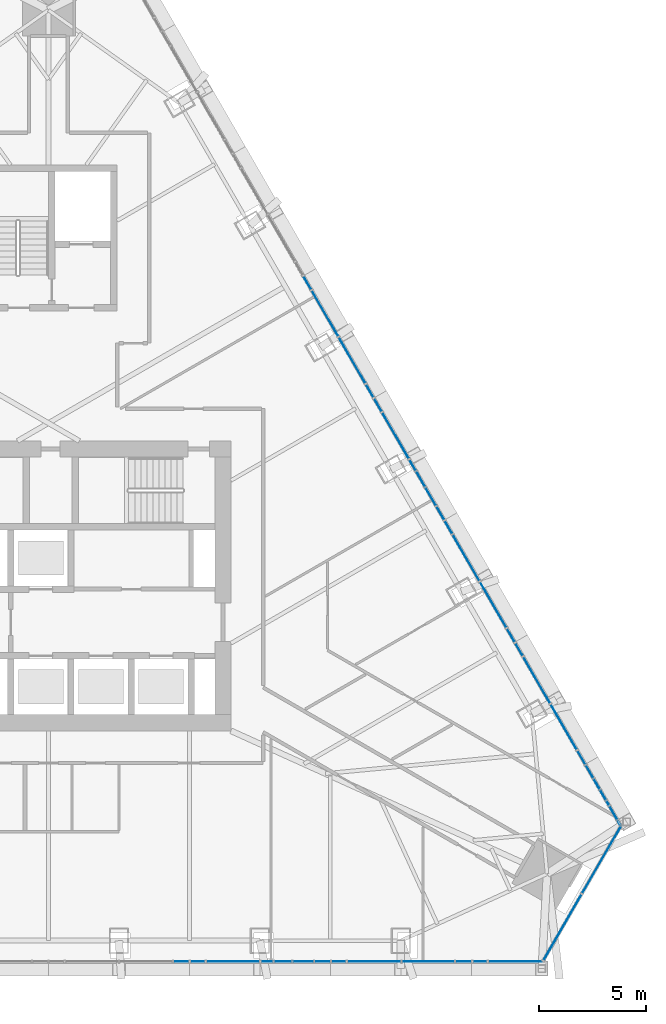
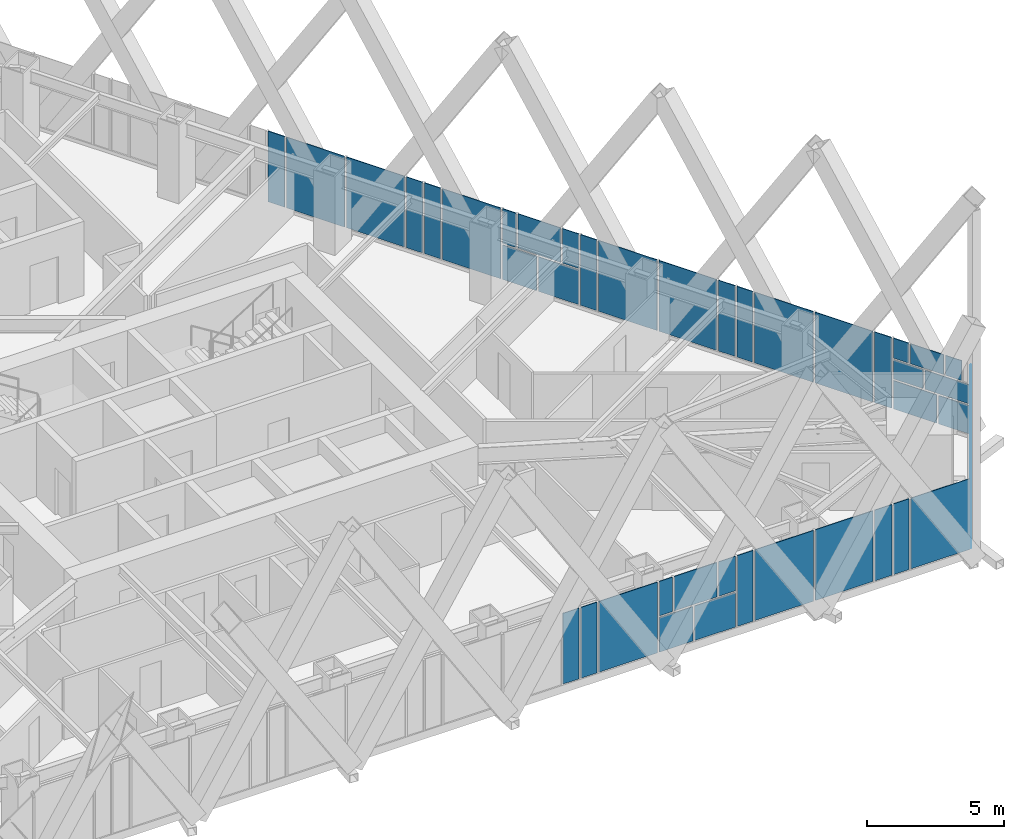
# One storey, part 16 of 25: 42 plates, 3 elements without a shape of their own.
"""IFC4 building model written with IfcOpenShell, lengths in metres."""

from ifc_helpers import new_model, si_unit, direction, frame, origin, place, context, subcontext, project, spatial, polyline, outline, extrude, material, layer, layer_set, type_object, element, aggregate, save


model = new_model("IFC4")

# Units and contexts
model_context = context("Model", 3, precision=1e-05, world=origin(), true_north=direction((0.0, 1.0)))
body_context = subcontext(model_context, "Body", "Model", "MODEL_VIEW")
ifc_project = project(units=[si_unit("LENGTHUNIT", "METRE"), si_unit("AREAUNIT", "SQUARE_METRE"), si_unit("VOLUMEUNIT", "CUBIC_METRE"), si_unit("PLANEANGLEUNIT", "RADIAN"), si_unit("MASSUNIT", "GRAM", prefix="KILO")], contexts=[model_context])

# Site, building, storey
site_placement = place(None, origin())
site = spatial("IfcSite", under=ifc_project, at=site_placement, CompositionType="ELEMENT")
building_placement = place(site_placement, origin())
building = spatial("IfcBuilding", under=site, at=building_placement, Name="Firuza Gate Tower and Library", CompositionType="ELEMENT")
storey_placement = place(building_placement, frame((0.0, 0.0, 270.60009765625)))
storey = spatial("IfcBuildingStorey", under=building, at=storey_placement, Name="L64", CompositionType="ELEMENT", Elevation=270.60009765625)

# Curtain wall, plates
ifc_material_1 = material(Name="Aluminium 6063-T6", Category="aluminium")
ifc_layer_1 = layer(ifc_material_1, 0.14990234375)
ifc_layer_set_1 = layer_set([ifc_layer_1], Name="Corner curtain wall, chamfers")
curtain_wall_type_1 = type_object("IfcCurtainWallType", Name="Corner curtain wall, chamfers", PredefinedType="NOTDEFINED", material=ifc_layer_set_1)
placement = place(storey_placement, origin())
curtain_wall_1 = element("IfcCurtainWall", 1, at=placement, inside=storey, type_object=curtain_wall_type_1, Name="CW4 L64 SE corner", PredefinedType="NOTDEFINED")
ifc_material_2 = material(Name="Fritted glass", Category="glass")
ifc_layer_2 = layer(ifc_material_2, 0.030029296875)
ifc_layer_set_2 = layer_set([ifc_layer_2], Name="Fritted glass unit, corners")
plate_type_1 = type_object("IfcPlateType", Name="Fritted glass unit, corners", PredefinedType="CURTAIN_PANEL", material=ifc_layer_set_2)
plate_1_placement = place(storey_placement, frame((98.054931640625, 57.528564453125, 0.14990234375), z_axis=(0.866016723041, -0.500015035186, 0.0), x_axis=(0.500015035186, 0.866016723041, 0.0)))
plate_1 = element("IfcPlate", 2, at=plate_1_placement, type_object=plate_type_1, Name="Glass unit", PredefinedType="CURTAIN_PANEL", context=body_context, shape_type="SweptSolid", body=[
    extrude(outline(polyline([(0.0, 0.0), (3.5633694106530625, 0.0), (3.5633694106530625, 3.14990234375), (0.0, 3.14990234375), (0.0, 0.0)])), origin(), (0.0, 0.0, -1.0), 0.030029296875),
])
plate_2_placement = place(storey_placement, frame((99.876708984375, 60.68359375, 0.14990234375), z_axis=(0.866046390552, -0.49996364809, 0.0), x_axis=(0.49996364809, 0.866046390552, 0.0)))
plate_2 = element("IfcPlate", 3, at=plate_2_placement, type_object=plate_type_1, Name="Glass unit", PredefinedType="CURTAIN_PANEL", context=body_context, shape_type="SweptSolid", body=[
    extrude(outline(polyline([(0.0, 0.0), (3.563247342942594, 0.0), (3.563247342942594, 3.14990234375), (0.0, 3.14990234375), (0.0, 0.0)])), origin(), (0.0, 0.0, -1.0), 0.030029296875),
])
aggregate(curtain_wall_1, [plate_1, plate_2])

ifc_material_3 = material(Name="Aluminium 6063-T6", Category="aluminium")
ifc_layer_3 = layer(ifc_material_3, 0.14990234375)
ifc_layer_set_3 = layer_set([ifc_layer_3], Name="Unitised curtain wall, residences")
curtain_wall_type_2 = type_object("IfcCurtainWallType", Name="Unitised curtain wall, residences", PredefinedType="NOTDEFINED", material=ifc_layer_set_3)
curtain_wall_2 = element("IfcCurtainWall", 4, at=placement, inside=storey, type_object=curtain_wall_type_2, Name="CW3 L64 S face", PredefinedType="NOTDEFINED")
ifc_material_4 = material(Name="Fritted glass", Category="glass")
ifc_layer_4 = layer(ifc_material_4, 0.030029296875)
ifc_layer_set_4 = layer_set([ifc_layer_4], Name="Fritted glass unit, residences")
plate_type_2 = type_object("IfcPlateType", Name="Fritted glass unit, residences", PredefinedType="CURTAIN_PANEL", material=ifc_layer_set_4)
plate_3_placement = place(storey_placement, frame((80.84375, 57.486328125, 0.14990234375), z_axis=(0.0, -1.0, 0.0), x_axis=(1.0, 0.0, 0.0)))
plate_3 = element("IfcPlate", 5, at=plate_3_placement, type_object=plate_type_2, Name="Glass unit", PredefinedType="CURTAIN_PANEL", context=body_context, shape_type="SweptSolid", body=[
    extrude(outline(polyline([(0.0, 0.0), (0.69384765625, 0.0), (0.69384765625, 3.14990234375), (0.0, 3.14990234375), (0.0, 0.0)])), origin(), (0.0, 0.0, -1.0), 0.030029296875),
])
plate_4_placement = place(storey_placement, frame((81.61767578125, 57.486328125, 0.14990234375), z_axis=(0.0, -1.0, 0.0), x_axis=(1.0, 0.0, 0.0)))
plate_4 = element("IfcPlate", 6, at=plate_4_placement, type_object=plate_type_2, Name="Glass unit", PredefinedType="CURTAIN_PANEL", context=body_context, shape_type="SweptSolid", body=[
    extrude(outline(polyline([(0.0, 0.0), (0.669189453125, 0.0), (0.669189453125, 3.14990234375), (0.0, 3.14990234375), (0.0, 0.0)])), origin(), (0.0, 0.0, -1.0), 0.030029296875),
])
plate_5_placement = place(storey_placement, frame((86.3994140625, 57.486328125, 0.14990234375), z_axis=(0.0, -1.0, 0.0), x_axis=(1.0, 0.0, 0.0)))
plate_5 = element("IfcPlate", 7, at=plate_5_placement, type_object=plate_type_2, Name="Glass unit", PredefinedType="CURTAIN_PANEL", context=body_context, shape_type="SweptSolid", body=[
    extrude(outline(polyline([(0.0, 0.0), (1.716064453125, 0.0), (1.716064453125, 1.534912109375), (0.0, 1.534912109375), (0.0, 0.0)])), origin(), (0.0, 0.0, -1.0), 0.030029296875),
])
plate_6_placement = place(storey_placement, frame((84.906494140625, 57.486328125, 1.764892578125), z_axis=(0.0, -1.0, 0.0), x_axis=(1.0, 0.0, 0.0)))
plate_6 = element("IfcPlate", 8, at=plate_6_placement, type_object=plate_type_2, Name="Glass unit", PredefinedType="CURTAIN_PANEL", context=body_context, shape_type="SweptSolid", body=[
    extrude(outline(polyline([(0.0, 0.0), (0.54736328125, 0.0), (0.54736328125, 1.534912109375), (0.0, 1.534912109375), (0.0, 0.0)])), origin(), (0.0, 0.0, -1.0), 0.030029296875),
])
plate_7_placement = place(storey_placement, frame((87.4091796875, 57.486328125, 1.764892578125), z_axis=(0.0, -1.0, 0.0), x_axis=(1.0, 0.0, 0.0)))
plate_7 = element("IfcPlate", 9, at=plate_7_placement, type_object=plate_type_2, Name="Glass unit", PredefinedType="CURTAIN_PANEL", context=body_context, shape_type="SweptSolid", body=[
    extrude(outline(polyline([(0.0, 0.0), (0.706298828125, 0.0), (0.706298828125, 1.534912109375), (0.0, 1.534912109375), (0.0, 0.0)])), origin(), (0.0, 0.0, -1.0), 0.030029296875),
])
plate_8_placement = place(storey_placement, frame((88.1953125, 57.486328125, 0.14990234375), z_axis=(0.0, -1.0, 0.0), x_axis=(1.0, 0.0, 0.0)))
plate_8 = element("IfcPlate", 10, at=plate_8_placement, type_object=plate_type_2, Name="Glass unit", PredefinedType="CURTAIN_PANEL", context=body_context, shape_type="SweptSolid", body=[
    extrude(outline(polyline([(0.0, 0.0), (0.65673828125, 0.0), (0.65673828125, 3.14990234375), (0.0, 3.14990234375), (0.0, 0.0)])), origin(), (0.0, 0.0, -1.0), 0.030029296875),
])
plate_9_placement = place(storey_placement, frame((93.974609375, 57.486328125, 0.14990234375), z_axis=(0.0, -1.0, 0.0), x_axis=(1.0, 0.0, 0.0)))
plate_9 = element("IfcPlate", 11, at=plate_9_placement, type_object=plate_type_2, Name="Glass unit", PredefinedType="CURTAIN_PANEL", context=body_context, shape_type="SweptSolid", body=[
    extrude(outline(polyline([(0.0, 0.0), (0.718505859375, 0.0), (0.718505859375, 3.14990234375), (0.0, 3.14990234375), (0.0, 0.0)])), origin(), (0.0, 0.0, -1.0), 0.030029296875),
])
plate_10_placement = place(storey_placement, frame((94.773193359375, 57.486328125, 0.14990234375), z_axis=(0.0, -1.0, 0.0), x_axis=(1.0, 0.0, 0.0)))
plate_10 = element("IfcPlate", 12, at=plate_10_placement, type_object=plate_type_2, Name="Glass unit", PredefinedType="CURTAIN_PANEL", context=body_context, shape_type="SweptSolid", body=[
    extrude(outline(polyline([(0.0, 0.0), (0.644287109375, 0.0), (0.644287109375, 3.14990234375), (0.0, 3.14990234375), (0.0, 0.0)])), origin(), (0.0, 0.0, -1.0), 0.030029296875),
])

curtain_wall_3 = element("IfcCurtainWall", 13, at=placement, inside=storey, type_object=curtain_wall_type_2, Name="CW3 L64 E face", PredefinedType="NOTDEFINED")
plate_11_placement = place(storey_placement, frame((100.966796875, 65.05126953125, 0.14990234375), z_axis=(0.866029747927, 0.499992475648, 0.0), x_axis=(-0.499992475648, 0.866029747927, 0.0)))
plate_11 = element("IfcPlate", 14, at=plate_11_placement, type_object=plate_type_2, Name="Glass unit", PredefinedType="CURTAIN_PANEL", context=body_context, shape_type="SweptSolid", body=[
    extrude(outline(polyline([(0.0, 0.0), (1.8261993569330863, 0.0), (1.8261993569330863, 1.260009765625), (0.0, 1.260009765625), (0.0, 0.0)])), origin(), (0.0, 0.0, -1.0), 0.030029296875),
])
plate_12_placement = place(storey_placement, frame((100.677734375, 65.55224609375, 1.489990234375), z_axis=(0.865970523892, 0.500095042717, 0.0), x_axis=(-0.500095042717, 0.865970523892, 0.0)))
plate_12 = element("IfcPlate", 15, at=plate_12_placement, type_object=plate_type_2, Name="Glass unit", PredefinedType="CURTAIN_PANEL", context=body_context, shape_type="SweptSolid", body=[
    extrude(outline(polyline([(0.0, 0.0), (1.2478096845534403, 0.0), (1.2478096845534403, 0.844970703125), (0.0, 0.844970703125), (0.0, 0.0)])), origin(), (0.0, 0.0, -1.0), 0.030029296875),
])
plate_13_placement = place(storey_placement, frame((101.49267578125, 64.140625, 2.414794921875), z_axis=(0.865995510393, 0.500051773299, 0.0), x_axis=(-0.500051773299, 0.865995510393, 0.0)))
plate_13 = element("IfcPlate", 16, at=plate_13_placement, type_object=plate_type_2, Name="Glass unit", PredefinedType="CURTAIN_PANEL", context=body_context, shape_type="SweptSolid", body=[
    extrude(outline(polyline([(0.0, 0.0), (0.6844994349118583, 0.0), (0.6844994349118583, 0.885009765625), (0.0, 0.885009765625), (0.0, 0.0)])), origin(), (0.0, 0.0, -1.0), 0.030029296875),
])
plate_14_placement = place(storey_placement, frame((100.3759765625, 66.07470703125, 2.414794921875), z_axis=(0.865996321171, 0.50005036918, 0.0), x_axis=(-0.50005036918, 0.865996321171, 0.0)))
plate_14 = element("IfcPlate", 17, at=plate_14_placement, type_object=plate_type_2, Name="Glass unit", PredefinedType="CURTAIN_PANEL", context=body_context, shape_type="SweptSolid", body=[
    extrude(outline(polyline([(0.0, 0.0), (0.6444663275185896, 0.0), (0.6444663275185896, 0.885009765625), (0.0, 0.885009765625), (0.0, 0.0)])), origin(), (0.0, 0.0, -1.0), 0.030029296875),
])
plate_15_placement = place(storey_placement, frame((100.013916015625, 66.7021484375, 0.14990234375), z_axis=(0.86597624137, 0.500085142133, 0.0), x_axis=(-0.500085142133, 0.86597624137, 0.0)))
plate_15 = element("IfcPlate", 18, at=plate_15_placement, type_object=plate_type_2, Name="Glass unit", PredefinedType="CURTAIN_PANEL", context=body_context, shape_type="SweptSolid", body=[
    extrude(outline(polyline([(0.0, 0.0), (0.7186276290216428, 0.0), (0.7186276290216428, 3.14990234375), (0.0, 3.14990234375), (0.0, 0.0)])), origin(), (0.0, 0.0, -1.0), 0.030029296875),
])
plate_16_placement = place(storey_placement, frame((97.09326171875, 71.760498046875, 0.14990234375), z_axis=(0.866061796884, 0.499936960004, 0.0), x_axis=(-0.499936960004, 0.866061796884, 0.0)))
plate_16 = element("IfcPlate", 19, at=plate_16_placement, type_object=plate_type_2, Name="Glass unit", PredefinedType="CURTAIN_PANEL", context=body_context, shape_type="SweptSolid", body=[
    extrude(outline(polyline([(0.0, 0.0), (0.6568210932483207, 0.0), (0.6568210932483207, 3.1499023437499996), (0.0, 3.1499023437499996), (0.0, 0.0)])), origin(), (0.0, 0.0, -1.0), 0.030029296875),
])
plate_17_placement = place(storey_placement, frame((96.72509765625, 72.3984375, 0.14990234375), z_axis=(0.866001427184, 0.500041526391, 0.0), x_axis=(-0.500041526391, 0.866001427184, 0.0)))
plate_17 = element("IfcPlate", 20, at=plate_17_placement, type_object=plate_type_2, Name="Glass unit", PredefinedType="CURTAIN_PANEL", context=body_context, shape_type="SweptSolid", body=[
    extrude(outline(polyline([(0.0, 0.0), (0.7064842932643166, 0.0), (0.7064842932643166, 3.14990234375), (0.0, 3.14990234375), (0.0, 0.0)])), origin(), (0.0, 0.0, -1.0), 0.030029296875),
])
plate_18_placement = place(storey_placement, frame((93.810791015625, 77.4462890625, 0.14990234375), z_axis=(0.865875610315, 0.500259360194, 0.0), x_axis=(-0.500259360194, 0.865875610315, 0.0)))
plate_18 = element("IfcPlate", 21, at=plate_18_placement, type_object=plate_type_2, Name="Glass unit", PredefinedType="CURTAIN_PANEL", context=body_context, shape_type="SweptSolid", body=[
    extrude(outline(polyline([(0.0, 0.0), (0.6690865249275766, 0.0), (0.6690865249275766, 3.14990234375), (0.0, 3.14990234375), (0.0, 0.0)])), origin(), (0.0, 0.0, -1.0), 0.030029296875),
])
plate_19_placement = place(storey_placement, frame((93.43603515625, 78.094970703125, 0.14990234375), z_axis=(0.866056737618, 0.49994572428, 0.0), x_axis=(-0.49994572428, 0.866056737618, 0.0)))
plate_19 = element("IfcPlate", 22, at=plate_19_placement, type_object=plate_type_2, Name="Glass unit", PredefinedType="CURTAIN_PANEL", context=body_context, shape_type="SweptSolid", body=[
    extrude(outline(polyline([(0.0, 0.0), (1.7037982310005495, 0.0), (1.7037982310005495, 1.5349121093750004), (0.0, 1.5349121093750004), (0.0, 0.0)])), origin(), (0.0, 0.0, -1.0), 0.030029296875),
])
plate_20_placement = place(storey_placement, frame((93.43603515625, 78.094970703125, 1.764892578125), z_axis=(0.86600392025, 0.500037208726, 0.0), x_axis=(-0.500037208726, 0.86600392025, 0.0)))
plate_20 = element("IfcPlate", 23, at=plate_20_placement, type_object=plate_type_2, Name="Glass unit", PredefinedType="CURTAIN_PANEL", context=body_context, shape_type="SweptSolid", body=[
    extrude(outline(polyline([(0.0, 0.0), (0.6937960257169237, 0.0), (0.6937960257169237, 1.534912109375), (0.0, 1.534912109375), (0.0, 0.0)])), origin(), (0.0, 0.0, -1.0), 0.030029296875),
])
plate_21_placement = place(storey_placement, frame((92.111572265625, 80.389404296875, 1.764892578125), z_axis=(0.866033014143, 0.499986818241, 0.0), x_axis=(-0.499986818241, 0.866033014143, 0.0)))
plate_21 = element("IfcPlate", 24, at=plate_21_placement, type_object=plate_type_2, Name="Glass unit", PredefinedType="CURTAIN_PANEL", context=body_context, shape_type="SweptSolid", body=[
    extrude(outline(polyline([(0.0, 0.0), (0.5595850651312546, 0.0), (0.5595850651312546, 1.5349121093749998), (0.0, 1.5349121093749998), (0.0, 0.0)])), origin(), (0.0, 0.0, -1.0), 0.030029296875),
])
plate_22_placement = place(storey_placement, frame((90.528076171875, 83.132080078125, 0.14990234375), z_axis=(0.865940935554, 0.500146274735, 0.0), x_axis=(-0.500146274735, 0.865940935554, 0.0)))
plate_22 = element("IfcPlate", 25, at=plate_22_placement, type_object=plate_type_2, Name="Glass unit", PredefinedType="CURTAIN_PANEL", context=body_context, shape_type="SweptSolid", body=[
    extrude(outline(polyline([(0.0, 0.0), (0.681441269717985, 0.0), (0.681441269717985, 3.14990234375), (0.0, 3.14990234375), (0.0, 0.0)])), origin(), (0.0, 0.0, -1.0), 0.030029296875),
])
plate_23_placement = place(storey_placement, frame((90.147216796875, 83.79150390625, 0.14990234375), z_axis=(0.866096087798, 0.499877551708, 0.0), x_axis=(-0.499877551708, 0.866096087798, 0.0)))
plate_23 = element("IfcPlate", 26, at=plate_23_placement, type_object=plate_type_2, Name="Glass unit", PredefinedType="CURTAIN_PANEL", context=body_context, shape_type="SweptSolid", body=[
    extrude(outline(polyline([(0.0, 0.0), (0.6813191964940453, 0.0), (0.6813191964940453, 3.14990234375), (0.0, 3.14990234375), (0.0, 0.0)])), origin(), (0.0, 0.0, -1.0), 0.030029296875),
])
plate_24_placement = place(storey_placement, frame((87.245361328125, 88.817626953125, 0.14990234375), z_axis=(0.866091865907, 0.499884866553, 0.0), x_axis=(-0.499884866553, 0.866091865907, 0.0)))
plate_24 = element("IfcPlate", 27, at=plate_24_placement, type_object=plate_type_2, Name="Glass unit", PredefinedType="CURTAIN_PANEL", context=body_context, shape_type="SweptSolid", body=[
    extrude(outline(polyline([(0.0, 0.0), (0.6940074631924555, 0.0), (0.6940074631924555, 3.14990234375), (0.0, 3.14990234375), (0.0, 0.0)])), origin(), (0.0, 0.0, -1.0), 0.030029296875),
])

# Plate
ifc_material_5 = material(Name="Glazed ceramic tile")
ifc_layer_5 = layer(ifc_material_5, 0.030029296875)
ifc_layer_set_5 = layer_set([ifc_layer_5], Name="Opaque ceramic panel, residences")
plate_type_3 = type_object("IfcPlateType", Name="Opaque ceramic panel, residences", PredefinedType="CURTAIN_PANEL", material=ifc_layer_set_5)
plate_25_placement = place(storey_placement, frame((82.366943359375, 57.486328125, 0.14990234375), z_axis=(0.0, -1.0, 0.0), x_axis=(1.0, 0.0, 0.0)))
plate_25 = element("IfcPlate", 28, at=plate_25_placement, type_object=plate_type_3, Name="Opaque ceramic panel", PredefinedType="CURTAIN_PANEL", context=body_context, shape_type="SweptSolid", body=[
    extrude(outline(polyline([(0.0, 0.0), (2.459716796875, 0.0), (2.459716796875, 3.14990234375), (0.0, 3.14990234375), (0.0, 0.0)])), origin(), (0.0, 0.0, -1.0), 0.030029296875),
])

plate_26_placement = place(storey_placement, frame((84.906494140625, 57.486328125, 0.14990234375), z_axis=(0.0, -1.0, 0.0), x_axis=(1.0, 0.0, 0.0)))
plate_26 = element("IfcPlate", 29, at=plate_26_placement, type_object=plate_type_3, Name="Opaque ceramic panel", PredefinedType="CURTAIN_PANEL", context=body_context, shape_type="SweptSolid", body=[
    extrude(outline(polyline([(0.0, 0.0), (1.412841796875, 0.0), (1.412841796875, 1.534912109375), (0.0, 1.534912109375), (0.0, 0.0)])), origin(), (0.0, 0.0, -1.0), 0.030029296875),
])

plate_27_placement = place(storey_placement, frame((85.533935546875, 57.486328125, 1.764892578125), z_axis=(0.0, -1.0, 0.0), x_axis=(1.0, 0.0, 0.0)))
plate_27 = element("IfcPlate", 30, at=plate_27_placement, type_object=plate_type_3, Name="Opaque ceramic panel", PredefinedType="CURTAIN_PANEL", context=body_context, shape_type="SweptSolid", body=[
    extrude(outline(polyline([(0.0, 0.0), (1.795166015625, 0.0), (1.795166015625, 1.534912109375), (0.0, 1.534912109375), (0.0, 0.0)])), origin(), (0.0, 0.0, -1.0), 0.030029296875),
])

plate_28_placement = place(storey_placement, frame((88.93212890625, 57.486328125, 0.14990234375), z_axis=(0.0, -1.0, 0.0), x_axis=(1.0, 0.0, 0.0)))
plate_28 = element("IfcPlate", 31, at=plate_28_placement, type_object=plate_type_3, Name="Opaque ceramic panel", PredefinedType="CURTAIN_PANEL", context=body_context, shape_type="SweptSolid", body=[
    extrude(outline(polyline([(0.0, 0.0), (2.47216796875, 0.0), (2.47216796875, 3.14990234375), (0.0, 3.14990234375), (0.0, 0.0)])), origin(), (0.0, 0.0, -1.0), 0.030029296875),
])

plate_29_placement = place(storey_placement, frame((91.484375, 57.486328125, 0.14990234375), z_axis=(0.0, -1.0, 0.0), x_axis=(1.0, 0.0, 0.0)))
plate_29 = element("IfcPlate", 32, at=plate_29_placement, type_object=plate_type_3, Name="Opaque ceramic panel", PredefinedType="CURTAIN_PANEL", context=body_context, shape_type="SweptSolid", body=[
    extrude(outline(polyline([(0.0, 0.0), (2.41015625, 0.0), (2.41015625, 3.14990234375), (0.0, 3.14990234375), (0.0, 0.0)])), origin(), (0.0, 0.0, -1.0), 0.030029296875),
])

plate_30_placement = place(storey_placement, frame((95.49755859375, 57.486328125, 0.14990234375), z_axis=(0.0, -1.0, 0.0), x_axis=(1.0, 0.0, 0.0)))
plate_30 = element("IfcPlate", 33, at=plate_30_placement, type_object=plate_type_3, Name="Opaque ceramic panel", PredefinedType="CURTAIN_PANEL", context=body_context, shape_type="SweptSolid", body=[
    extrude(outline(polyline([(0.0, 0.0), (2.484375, 0.0), (2.484375, 3.14990234375), (0.0, 3.14990234375), (0.0, 0.0)])), origin(), (0.0, 0.0, -1.0), 0.030029296875),
])

aggregate(curtain_wall_2, [plate_3, plate_4, plate_25, plate_26, plate_5, plate_6, plate_27, plate_7, plate_8, plate_28, plate_29, plate_9, plate_10, plate_30])

plate_31_placement = place(storey_placement, frame((101.658203125, 63.853759765625, 0.14990234375), z_axis=(0.866020177134, 0.500009052715, 0.0), x_axis=(-0.500009052715, 0.866020177134, 0.0)))
plate_31 = element("IfcPlate", 34, at=plate_31_placement, type_object=plate_type_3, Name="Opaque ceramic panel", PredefinedType="CURTAIN_PANEL", context=body_context, shape_type="SweptSolid", body=[
    extrude(outline(polyline([(0.0, 0.0), (1.3027107888621625, 0.0), (1.3027107888621625, 1.260009765625), (0.0, 1.260009765625), (0.0, 0.0)])), origin(), (0.0, 0.0, -1.0), 0.030029296875),
])

plate_32_placement = place(storey_placement, frame((101.658203125, 63.853759765625, 1.489990234375), z_axis=(0.866062399826, 0.4999359155, 0.0), x_axis=(-0.4999359155, 0.866062399826, 0.0)))
plate_32 = element("IfcPlate", 35, at=plate_32_placement, type_object=plate_type_3, Name="Opaque ceramic panel", PredefinedType="CURTAIN_PANEL", context=body_context, shape_type="SweptSolid", body=[
    extrude(outline(polyline([(0.0, 0.0), (1.881100473766603, 0.0), (1.881100473766603, 0.844970703125), (0.0, 0.844970703125), (0.0, 0.0)])), origin(), (0.0, 0.0, -1.0), 0.030029296875),
])

plate_33_placement = place(storey_placement, frame((101.110595703125, 64.802734375, 2.414794921875), z_axis=(0.865951361799, 0.500128222557, 0.0), x_axis=(-0.500128222557, 0.865951361799, 0.0)))
plate_33 = element("IfcPlate", 36, at=plate_33_placement, type_object=plate_type_3, Name="Opaque ceramic panel", PredefinedType="CURTAIN_PANEL", context=body_context, shape_type="SweptSolid", body=[
    extrude(outline(polyline([(0.0, 0.0), (1.3888040042475027, 0.0), (1.3888040042475027, 0.885009765625), (0.0, 0.885009765625), (0.0, 0.0)])), origin(), (0.0, 0.0, -1.0), 0.030029296875),
])

plate_34_placement = place(storey_placement, frame((99.614501953125, 67.393798828125, 0.14990234375), z_axis=(0.866015203027, 0.500017667814, 0.0), x_axis=(-0.500017667814, 0.866015203027, 0.0)))
plate_34 = element("IfcPlate", 37, at=plate_34_placement, type_object=plate_type_3, Name="Opaque ceramic panel", PredefinedType="CURTAIN_PANEL", context=body_context, shape_type="SweptSolid", body=[
    extrude(outline(polyline([(0.0, 0.0), (2.4100710886248757, 0.0), (2.4100710886248757, 3.14990234375), (0.0, 3.14990234375), (0.0, 0.0)])), origin(), (0.0, 0.0, -1.0), 0.030029296875),
])

plate_35_placement = place(storey_placement, frame((98.369384765625, 69.55029296875, 0.14990234375), z_axis=(0.866016188482, 0.500015961032, 0.0), x_axis=(-0.500015961032, 0.866016188482, 0.0)))
plate_35 = element("IfcPlate", 38, at=plate_35_placement, type_object=plate_type_3, Name="Opaque ceramic panel", PredefinedType="CURTAIN_PANEL", context=body_context, shape_type="SweptSolid", body=[
    extrude(outline(polyline([(0.0, 0.0), (2.472089054566765, 0.0), (2.472089054566765, 3.14990234375), (0.0, 3.14990234375), (0.0, 0.0)])), origin(), (0.0, 0.0, -1.0), 0.030029296875),
])

plate_36_placement = place(storey_placement, frame((96.331787109375, 73.079345703125, 0.14990234375), z_axis=(0.866058051532, 0.499943448179, 0.0), x_axis=(-0.499943448179, 0.866058051532, 0.0)))
plate_36 = element("IfcPlate", 39, at=plate_36_placement, type_object=plate_type_3, Name="Opaque ceramic panel", PredefinedType="CURTAIN_PANEL", context=body_context, shape_type="SweptSolid", body=[
    extrude(outline(polyline([(0.0, 0.0), (2.4226372903514366, 0.0), (2.4226372903514366, 3.14990234375), (0.0, 3.14990234375), (0.0, 0.0)])), origin(), (0.0, 0.0, -1.0), 0.030029296875),
])

plate_37_placement = place(storey_placement, frame((95.08056640625, 75.246826171875, 0.14990234375), z_axis=(0.865998803033, 0.500046071023, 0.0), x_axis=(-0.500046071023, 0.865998803033, 0.0)))
plate_37 = element("IfcPlate", 40, at=plate_37_placement, type_object=plate_type_3, Name="Opaque ceramic panel", PredefinedType="CURTAIN_PANEL", context=body_context, shape_type="SweptSolid", body=[
    extrude(outline(polyline([(0.0, 0.0), (2.459734292547889, 0.0), (2.459734292547889, 3.14990234375), (0.0, 3.14990234375), (0.0, 0.0)])), origin(), (0.0, 0.0, -1.0), 0.030029296875),
])

plate_38_placement = place(storey_placement, frame((92.544189453125, 79.6396484375, 0.14990234375), z_axis=(0.866105722522, 0.499860858054, 0.0), x_axis=(-0.499860858054, 0.866105722522, 0.0)))
plate_38 = element("IfcPlate", 41, at=plate_38_placement, type_object=plate_type_3, Name="Opaque ceramic panel", PredefinedType="CURTAIN_PANEL", context=body_context, shape_type="SweptSolid", body=[
    extrude(outline(polyline([(0.0, 0.0), (1.4252012980647657, 0.0), (1.4252012980647657, 1.534912109375), (0.0, 1.534912109375), (0.0, 0.0)])), origin(), (0.0, 0.0, -1.0), 0.030029296875),
])

plate_39_placement = place(storey_placement, frame((93.04931640625, 78.76513671875, 1.764892578125), z_axis=(0.866033874331, 0.499985328296, 0.0), x_axis=(-0.499985328296, 0.866033874331, 0.0)))
plate_39 = element("IfcPlate", 42, at=plate_39_placement, type_object=plate_type_3, Name="Opaque ceramic panel", PredefinedType="CURTAIN_PANEL", context=body_context, shape_type="SweptSolid", body=[
    extrude(outline(polyline([(0.0, 0.0), (1.795462841249622, 0.0), (1.795462841249622, 1.534912109375), (0.0, 1.534912109375), (0.0, 0.0)])), origin(), (0.0, 0.0, -1.0), 0.030029296875),
])

plate_40_placement = place(storey_placement, frame((91.791748046875, 80.943359375, 0.14990234375), z_axis=(0.866024439905, 0.500001669485, 0.0), x_axis=(-0.500001669485, 0.866024439905, 0.0)))
plate_40 = element("IfcPlate", 43, at=plate_40_placement, type_object=plate_type_3, Name="Opaque ceramic panel", PredefinedType="CURTAIN_PANEL", context=body_context, shape_type="SweptSolid", body=[
    extrude(outline(polyline([(0.0, 0.0), (2.447257453679526, 0.0), (2.447257453679526, 3.14990234375), (0.0, 3.14990234375), (0.0, 0.0)])), origin(), (0.0, 0.0, -1.0), 0.030029296875),
])

plate_41_placement = place(storey_placement, frame((89.7666015625, 84.450927734375, 0.14990234375), z_axis=(0.866024439905, 0.500001669485, 0.0), x_axis=(-0.500001669485, 0.866024439905, 0.0)))
plate_41 = element("IfcPlate", 44, at=plate_41_placement, type_object=plate_type_3, Name="Opaque ceramic panel", PredefinedType="CURTAIN_PANEL", context=body_context, shape_type="SweptSolid", body=[
    extrude(outline(polyline([(0.0, 0.0), (2.447257453679526, 0.0), (2.447257453679526, 3.14990234375), (0.0, 3.14990234375), (0.0, 0.0)])), origin(), (0.0, 0.0, -1.0), 0.030029296875),
])

plate_42_placement = place(storey_placement, frame((88.5029296875, 86.6396484375, 0.14990234375), z_axis=(0.866031986241, 0.499988598678, 0.0), x_axis=(-0.499988598678, 0.866031986241, 0.0)))
plate_42 = element("IfcPlate", 45, at=plate_42_placement, type_object=plate_type_3, Name="Opaque ceramic panel", PredefinedType="CURTAIN_PANEL", context=body_context, shape_type="SweptSolid", body=[
    extrude(outline(polyline([(0.0, 0.0), (2.4351141207896343, 0.0), (2.4351141207896343, 3.1499023437499996), (0.0, 3.1499023437499996), (0.0, 0.0)])), origin(), (0.0, 0.0, -1.0), 0.030029296875),
])

aggregate(curtain_wall_3, [plate_31, plate_11, plate_32, plate_12, plate_13, plate_33, plate_14, plate_15, plate_34, plate_35, plate_16, plate_17, plate_36, plate_37, plate_18, plate_19, plate_38, plate_20, plate_39, plate_21, plate_40, plate_22, plate_23, plate_41, plate_42, plate_24])

save(model, "model.ifc")
